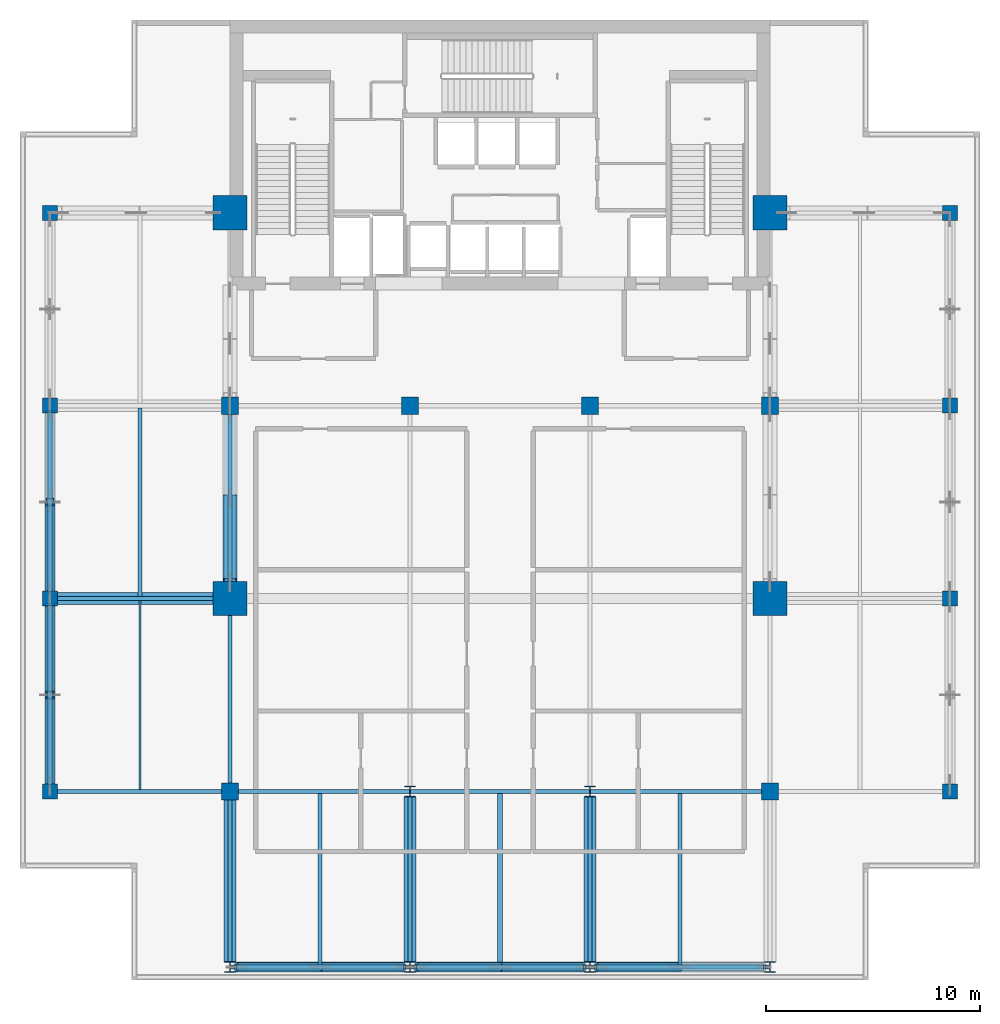
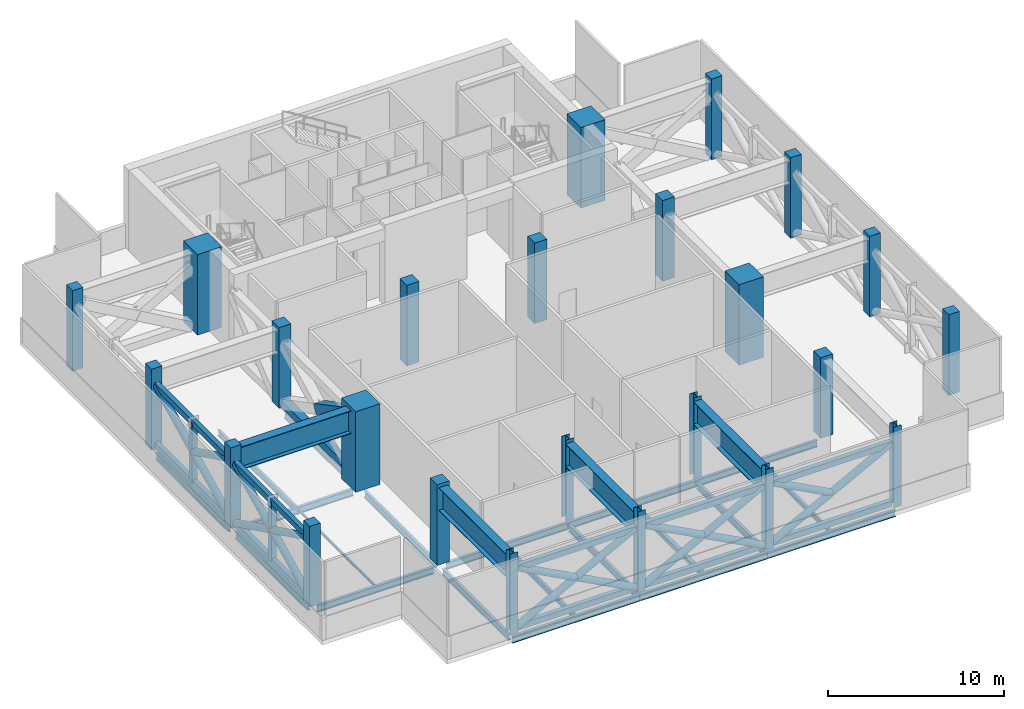
# One storey, part 1 of 11: 27 members, 24 beams, 24 columns.
"""IFC4 building model written with IfcOpenShell, lengths in metres."""

import ifcopenshell
import ifcopenshell.guid

model = None  # the IFC model being written
_history = None  # IfcOwnerHistory: only IFC2X3 demands one
_inside = {}  # id of a spatial element -> (the spatial element, [elements in it])
_under = {}  # id of a project, library or spatial element -> (it, [spatial elements below it])
_declared = {}  # id of a project -> (the project, [libraries it declares])
_typed = {}  # id of a type object -> (the type object, [elements of that type])
_made_of = {}  # id of a material, layer set ... -> (it, [elements and type objects made of it])


def new_model(schema):
    """Start an empty IFC model of exactly this schema.

    Asked for "IFC4X3", IfcOpenShell would pick the latest addendum, in which some entities
    have other attributes; the version numbers below select the first issue.
    IFC2X3 requires an IfcOwnerHistory on every rooted entity: one is made here for all.
    """
    global model, _history
    if schema == "IFC4X3":
        model = ifcopenshell.file(schema_version=(4, 3, 0, 0))
    else:
        model = ifcopenshell.file(schema=schema)
    _inside.clear()
    _under.clear()
    _declared.clear()
    _typed.clear()
    _made_of.clear()
    _history = None
    if model.schema == "IFC2X3":
        org = make("IfcOrganization", Name="unknown")
        user = make(
            "IfcPersonAndOrganization",
            ThePerson=make("IfcPerson", FamilyName="unknown"),
            TheOrganization=org,
        )
        app = make(
            "IfcApplication",
            ApplicationDeveloper=org,
            Version="unknown",
            ApplicationFullName="unknown",
            ApplicationIdentifier="unknown",
        )
        _history = make(
            "IfcOwnerHistory",
            OwningUser=user,
            OwningApplication=app,
            ChangeAction="ADDED",
            CreationDate=0,
        )
    return model


def make(cls, **values):
    """One entity of the class cls with the attributes given. An attribute that is None is left unset."""
    return model.create_entity(
        cls, **{name: value for name, value in values.items() if value is not None}
    )


def rooted(cls, **values):
    """An entity with a GlobalId (a new one), such as an element, a storey or a relation."""
    return make(cls, GlobalId=ifcopenshell.guid.new(), OwnerHistory=_history, **values)


def si_unit(unit_type, name, prefix=None):
    """IfcSIUnit, for example si_unit("LENGTHUNIT", "METRE", prefix="MILLI")."""
    return make("IfcSIUnit", UnitType=unit_type, Prefix=prefix, Name=name)


def assignment(units):
    """IfcUnitAssignment: the units of a project."""
    return None if units is None else make("IfcUnitAssignment", Units=units)


def point(xyz):
    """IfcCartesianPoint."""
    return None if xyz is None else make("IfcCartesianPoint", Coordinates=xyz)


def direction(xyz):
    """IfcDirection."""
    return None if xyz is None else make("IfcDirection", DirectionRatios=xyz)


def frame(location, z_axis=None, x_axis=None):
    """IfcAxis2Placement3D, a coordinate frame: its origin and axes. An axis left out is left unset."""
    return make(
        "IfcAxis2Placement3D",
        Location=point(location),
        Axis=direction(z_axis),
        RefDirection=direction(x_axis),
    )


def frame_2d(location, x_axis=None):
    """IfcAxis2Placement2D, a coordinate frame in the plane: its origin and x axis."""
    return make(
        "IfcAxis2Placement2D", Location=point(location), RefDirection=direction(x_axis)
    )


def origin():
    """The frame at (0, 0, 0) with its axes left unset."""
    return frame((0.0, 0.0, 0.0))


def origin_2d():
    """The frame at (0, 0) in the plane with its x axis left unset."""
    return frame_2d((0.0, 0.0))


def place(relative_to, where):
    """IfcLocalPlacement: puts the frame where relative to a parent placement (None: the world)."""
    return make(
        "IfcLocalPlacement", PlacementRelTo=relative_to, RelativePlacement=where
    )


def context(
    kind, dimensions, precision=None, world=None, true_north=None, identifier=None
):
    """IfcGeometricRepresentationContext, for example the 3D "Model" context."""
    return make(
        "IfcGeometricRepresentationContext",
        ContextIdentifier=identifier,
        ContextType=kind,
        CoordinateSpaceDimension=dimensions,
        Precision=precision,
        WorldCoordinateSystem=world,
        TrueNorth=true_north,
    )


def subcontext(parent, identifier, kind, view, scale=None):
    """IfcGeometricRepresentationSubContext, for example "Body" below "Model"."""
    return make(
        "IfcGeometricRepresentationSubContext",
        ContextIdentifier=identifier,
        ContextType=kind,
        ParentContext=parent,
        TargetScale=scale,
        TargetView=view,
    )


def project(units=None, contexts=None):
    """IfcProject with its units and contexts."""
    return rooted(
        "IfcProject",
        Name="project",
        RepresentationContexts=contexts,
        UnitsInContext=assignment(units),
    )


def spatial(cls, under=None, at=None, **own):
    """A site, building, storey or space (cls), placed at a placement, below another one or the project."""
    s = rooted(cls, ObjectPlacement=at, **own)
    if under is not None:
        _under.setdefault(under.id(), (under, []))[1].append(s)
    return s


def profile(cls, at=None, kind="AREA", **sizes):
    """A parametric profile (cls). Its sizes go by their IFC names, for example OverallWidth=200.0."""
    return make(cls, ProfileType=kind, Position=at, **sizes)


def rectangle(**sizes):
    """IfcRectangleProfileDef."""
    return profile("IfcRectangleProfileDef", **sizes)


def hollow_rectangle(**sizes):
    """IfcRectangleHollowProfileDef."""
    return profile("IfcRectangleHollowProfileDef", **sizes)


def hollow_circle(**sizes):
    """IfcCircleHollowProfileDef."""
    return profile("IfcCircleHollowProfileDef", **sizes)


def i_section(**sizes):
    """IfcIShapeProfileDef."""
    return profile("IfcIShapeProfileDef", **sizes)


def extrude(swept, where, along, depth):
    """IfcExtrudedAreaSolid: the profile swept, set in the frame where, extruded along a direction by depth."""
    return make(
        "IfcExtrudedAreaSolid",
        SweptArea=swept,
        Position=where,
        ExtrudedDirection=direction(along),
        Depth=depth,
    )


def shape(context_of_items, identifier, shape_type, items):
    """IfcShapeRepresentation: the items that make up one representation, for example the "Body"."""
    return make(
        "IfcShapeRepresentation",
        ContextOfItems=context_of_items,
        RepresentationIdentifier=identifier,
        RepresentationType=shape_type,
        Items=items,
    )


def material(Name=None, Category=None):
    """IfcMaterial."""
    return make("IfcMaterial", Name=Name, Category=Category)


def material_profile(
    of_material, cross_section, Name=None, Category=None, Priority=None
):
    """IfcMaterialProfile: a cross section and its material."""
    return make(
        "IfcMaterialProfile",
        Name=Name,
        Material=of_material,
        Profile=cross_section,
        Priority=Priority,
        Category=Category,
    )


def profile_set(profiles, Name=None, composite=None):
    """IfcMaterialProfileSet."""
    return make(
        "IfcMaterialProfileSet",
        Name=Name,
        MaterialProfiles=profiles,
        CompositeProfile=composite,
    )


def made_of(thing, what):
    """Note that an element or type object is made of a material, layer set ...; save() writes the relation."""
    if what is not None:
        _made_of.setdefault(what.id(), (what, []))[1].append(thing)
    return thing


def type_object(cls, material=None, **own):
    """A type object (cls), such as IfcWallType, which elements share."""
    return made_of(rooted(cls, **own), material)


def element(
    cls,
    number,
    at=None,
    inside=None,
    cuts=None,
    type_object=None,
    material=None,
    context=None,
    identifier="Body",
    shape_type=None,
    held_by="IfcProductDefinitionShape",
    body=None,
    shapes=None,
    **own,
):
    """One element of the class cls, such as IfcWall. Its Tag is "e" and its number.

    at: its placement. inside: the storey or other place that contains it. cuts: it is an
    opening in that element (IfcRelVoidsElement). A single representation is given by context,
    identifier, shape_type and body (its items); several are given by shapes. held_by: the class
    of the entity that holds the representations. save() writes the other relations.
    """
    e = rooted(cls, Tag="e%d" % number, ObjectPlacement=at, **own)
    if body is not None:
        shapes = [shape(context, identifier, shape_type, body)]
    if shapes is not None:
        e.Representation = make(held_by, Representations=shapes)
    if inside is not None:
        _inside.setdefault(inside.id(), (inside, []))[1].append(e)
    if cuts is not None:
        rooted(
            "IfcRelVoidsElement", RelatingBuildingElement=cuts, RelatedOpeningElement=e
        )
    if type_object is not None:
        _typed.setdefault(type_object.id(), (type_object, []))[1].append(e)
    return made_of(e, material)


def aggregate(whole, parts):
    """IfcRelAggregates: a whole, such as a stair, and the parts it consists of."""
    return rooted("IfcRelAggregates", RelatingObject=whole, RelatedObjects=parts)


def save(model, path):
    """Write the relations noted so far, then the file.

    IfcRelAggregates (storeys below a building ...), IfcRelContainedInSpatialStructure (elements
    in a storey), IfcRelDefinesByType, IfcRelAssociatesMaterial and IfcRelDeclares: one each for
    every whole, place, type object, material and project.
    """
    for whole, parts in _under.values():
        aggregate(whole, parts)
    for where, things in _inside.values():
        rooted(
            "IfcRelContainedInSpatialStructure",
            RelatedElements=things,
            RelatingStructure=where,
        )
    for kind, things in _typed.values():
        rooted("IfcRelDefinesByType", RelatedObjects=things, RelatingType=kind)
    for what, things in _made_of.values():
        rooted("IfcRelAssociatesMaterial", RelatedObjects=things, RelatingMaterial=what)
    for by, libraries in _declared.values():
        rooted("IfcRelDeclares", RelatingContext=by, RelatedDefinitions=libraries)
    model.write(path)


model = new_model("IFC4")

# Units and contexts
model_context = context("Model", 3, precision=1e-05, world=origin(), true_north=direction((0.0, 1.0)))
body_context = subcontext(model_context, "Body", "Model", "MODEL_VIEW")
ifc_project = project(units=[si_unit("LENGTHUNIT", "METRE"), si_unit("AREAUNIT", "SQUARE_METRE"), si_unit("VOLUMEUNIT", "CUBIC_METRE"), si_unit("PLANEANGLEUNIT", "RADIAN"), si_unit("MASSUNIT", "GRAM", prefix="KILO")], contexts=[model_context])

# Site, building, storey
site_placement = place(None, origin())
site = spatial("IfcSite", under=ifc_project, at=site_placement, CompositionType="ELEMENT")
building_placement = place(site_placement, origin())
building = spatial("IfcBuilding", under=site, at=building_placement, Name="Maruvema Waterfront Hotel and Observation Tower", CompositionType="ELEMENT")
storey_placement = place(building_placement, frame((0.0, 0.0, 316.39990234375)))
storey = spatial("IfcBuildingStorey", under=building, at=storey_placement, Name="L78", CompositionType="ELEMENT", Elevation=316.39990234375)

# Columns
ifc_material_1 = material(Name="Concrete C70/85", Category="concrete")
ifc_material_profile_1 = material_profile(ifc_material_1, rectangle(XDim=1.60009765625, YDim=1.60009765625, at=origin_2d()), Name="MC1600x1600")
ifc_profile_set_1 = profile_set([ifc_material_profile_1], Name="Concrete C70/85")
column_type_1 = type_object("IfcColumnType", Name="Continuous Mega-Column MC1600x1600", PredefinedType="COLUMN", material=ifc_profile_set_1)
for number, where, z_axis, x_axis, name in (
    (1, (25.199951171875, 27.0, 0.0), (0.0, 0.0, 1.0), (1.0, 0.0, 0.0), "L78 Continuous Mega-Column MC-01"),
    (2, (50.39990234375, 27.0, 0.0), (0.0, 0.0, 1.0), (1.0, 0.0, 0.0), "L78 Continuous Mega-Column MC-02"),
    (3, (25.199951171875, 45.0, 0.0), (0.0, 0.0, 1.0), (1.0, 0.0, 0.0), "L78 Continuous Mega-Column MC-03"),
    (4, (50.39990234375, 45.0, 0.0), (0.0, 0.0, 1.0), (1.0, 0.0, 0.0), "L78 Continuous Mega-Column MC-04"),
):
    element("IfcColumn", number, at=place(storey_placement, frame(where, z_axis=z_axis, x_axis=x_axis)), inside=storey, type_object=column_type_1, Name=name, PredefinedType="COLUMN", context=body_context, shape_type="SweptSolid", body=[
        extrude(rectangle(XDim=1.60009765625, YDim=1.60009765625, at=origin_2d()), origin(), (0.0, 0.0, 1.0), 5.60009765625),
    ])
ifc_material_2 = material(Name="Concrete C60/75", Category="concrete")
ifc_material_profile_2 = material_profile(ifc_material_2, rectangle(XDim=0.699951171875, YDim=0.699951171875, at=origin_2d()), Name="RC700x700")
ifc_profile_set_2 = profile_set([ifc_material_profile_2], Name="Concrete C60/75")
column_type_2 = type_object("IfcColumnType", Name="Reinforced Concrete Column RC700x700", PredefinedType="COLUMN", material=ifc_profile_set_2)
for number, where, z_axis, x_axis, name in (
    (5, (16.800048828125, 18.0, 0.0), (0.0, 0.0, 1.0), (1.0, 0.0, 0.0), "L78 Column C-3Y18"),
    (6, (58.800048828125, 18.0, 0.0), (0.0, 0.0, 1.0), (1.0, 0.0, 0.0), "L78 Column C-8Y18"),
    (7, (16.800048828125, 27.0, 0.0), (0.0, 0.0, 1.0), (1.0, 0.0, 0.0), "L78 Column C-3Y27"),
    (8, (58.800048828125, 27.0, 0.0), (0.0, 0.0, 1.0), (1.0, 0.0, 0.0), "L78 Column C-8Y27"),
    (9, (16.800048828125, 36.0, 0.0), (0.0, 0.0, 1.0), (1.0, 0.0, 0.0), "L78 Column C-3Y36"),
    (10, (58.800048828125, 36.0, 0.0), (0.0, 0.0, 1.0), (1.0, 0.0, 0.0), "L78 Column C-8Y36"),
    (11, (16.800048828125, 45.0, 0.0), (0.0, 0.0, 1.0), (1.0, 0.0, 0.0), "L78 Column C-3Y45"),
    (12, (58.800048828125, 45.0, 0.0), (0.0, 0.0, 1.0), (1.0, 0.0, 0.0), "L78 Column C-8Y45"),
):
    element("IfcColumn", number, at=place(storey_placement, frame(where, z_axis=z_axis, x_axis=x_axis)), inside=storey, type_object=column_type_2, Name=name, PredefinedType="COLUMN", context=body_context, shape_type="SweptSolid", body=[
        extrude(rectangle(XDim=0.699951171875, YDim=0.699951171875, at=origin_2d()), origin(), (0.0, 0.0, 1.0), 5.60009765625),
    ])
ifc_material_3 = material(Name="Concrete C60/75", Category="concrete")
ifc_material_profile_3 = material_profile(ifc_material_3, rectangle(XDim=0.800048828125, YDim=0.800048828125, at=origin_2d()), Name="RC800x800")
ifc_profile_set_3 = profile_set([ifc_material_profile_3], Name="Concrete C60/75")
column_type_3 = type_object("IfcColumnType", Name="Reinforced Concrete Column RC800x800", PredefinedType="COLUMN", material=ifc_profile_set_3)
for number, where, z_axis, x_axis, name in (
    (13, (25.199951171875, 36.0, 0.0), (0.0, 0.0, 1.0), (1.0, 0.0, 0.0), "L78 Column C-4E"),
    (14, (33.60009765625, 36.0, 0.0), (0.0, 0.0, 1.0), (1.0, 0.0, 0.0), "L78 Column C-5E"),
    (15, (42.0, 36.0, 0.0), (0.0, 0.0, 1.0), (1.0, 0.0, 0.0), "L78 Column C-6E"),
    (16, (50.39990234375, 36.0, 0.0), (0.0, 0.0, 1.0), (1.0, 0.0, 0.0), "L78 Column C-7E"),
    (17, (25.199951171875, 18.0, 0.0), (0.0, 0.0, 1.0), (1.0, 0.0, 0.0), "L78 Column C-4C"),
    (18, (50.39990234375, 18.0, 0.0), (0.0, 0.0, 1.0), (1.0, 0.0, 0.0), "L78 Column C-7C"),
):
    element("IfcColumn", number, at=place(storey_placement, frame(where, z_axis=z_axis, x_axis=x_axis)), inside=storey, type_object=column_type_3, Name=name, PredefinedType="COLUMN", context=body_context, shape_type="SweptSolid", body=[
        extrude(rectangle(XDim=0.800048828125, YDim=0.800048828125, at=origin_2d()), origin(), (0.0, 0.0, 1.0), 5.60009765625),
    ])
ifc_material_4 = material(Name="Steel ABNT NBR 7007 AR 415 (ASTM A572 Grade 50)", Category="steel")
ifc_material_profile_4 = material_profile(ifc_material_4, i_section(OverallWidth=0.5, OverallDepth=0.5, WebThickness=0.02197265625, FlangeThickness=0.031982421875, at=origin_2d()), Name="CVS500x223")
ifc_profile_set_4 = profile_set([ifc_material_profile_4], Name="Steel ABNT NBR 7007 AR 415 (ASTM A572 Grade 50)")
column_type_4 = type_object("IfcColumnType", Name="Structural Steel Column CVS500x223", PredefinedType="COLUMN", material=ifc_profile_set_4)
for number, where, z_axis, x_axis, name in (
    (19, (33.60009765625, 18.0, 0.0), (0.0, 0.0, 1.0), (1.0, 0.0, 0.0), "L78 Column C-5C"),
    (20, (42.0, 18.0, 0.0), (0.0, 0.0, 1.0), (1.0, 0.0, 0.0), "L78 Column C-6C"),
    (21, (25.199951171875, 9.800048828125, 0.0), (0.0, 0.0, 1.0), (1.0, 0.0, 0.0), "L78 Column C-Z3S4"),
    (22, (33.60009765625, 9.800048828125, 0.0), (0.0, 0.0, 1.0), (1.0, 0.0, 0.0), "L78 Column C-Z3S5"),
    (23, (42.0, 9.800048828125, 0.0), (0.0, 0.0, 1.0), (1.0, 0.0, 0.0), "L78 Column C-Z3S6"),
    (24, (50.39990234375, 9.800048828125, 0.0), (0.0, 0.0, 1.0), (1.0, 0.0, 0.0), "L78 Column C-Z3S7"),
):
    element("IfcColumn", number, at=place(storey_placement, frame(where, z_axis=z_axis, x_axis=x_axis)), inside=storey, type_object=column_type_4, Name=name, PredefinedType="COLUMN", context=body_context, shape_type="SweptSolid", body=[
        extrude(i_section(OverallWidth=0.5, OverallDepth=0.5, WebThickness=0.02197265625, FlangeThickness=0.031982421875, at=origin_2d()), origin(), (0.0, 0.0, 1.0), 5.60009765625),
    ])

# Members
ifc_material_5 = material(Name="Steel ABNT NBR 7007 AR 415 (ASTM A572 Grade 50)", Category="steel")
ifc_material_profile_5 = material_profile(ifc_material_5, hollow_rectangle(XDim=0.5, YDim=0.5, WallThickness=0.028076171875, at=origin_2d()), Name="SHS500x500x28.0")
ifc_profile_set_5 = profile_set([ifc_material_profile_5], Name="Steel ABNT NBR 7007 AR 415 (ASTM A572 Grade 50)")
member_type_1 = type_object("IfcMemberType", Name="Outrigger Truss Chord SHS500x500x28.0", PredefinedType="CHORD", material=ifc_profile_set_5)
member_1_placement = place(storey_placement, frame((25.199951171875, 27.780029296875, 0.25), z_axis=(0.0, 1.0, 0.0), x_axis=(-1.0, 0.0, 0.0)))
element("IfcMember", 25, at=member_1_placement, inside=storey, type_object=member_type_1, Name="L78 Outrigger Truss Bottom Chord W1", PredefinedType="CHORD", context=body_context, shape_type="SweptSolid", body=[
    extrude(hollow_rectangle(XDim=0.5, YDim=0.5, WallThickness=0.028076171875, at=origin_2d()), origin(), (0.0, 0.0, 1.0), 7.820068359375),
])
ifc_material_6 = material(Name="Steel ABNT NBR 7007 AR 415 (ASTM A572 Grade 50)", Category="steel")
ifc_material_profile_6 = material_profile(ifc_material_6, hollow_rectangle(XDim=0.64990234375, YDim=0.64990234375, WallThickness=0.035888671875, at=origin_2d()), Name="SHS650x650x36.0")
ifc_profile_set_6 = profile_set([ifc_material_profile_6], Name="Steel ABNT NBR 7007 AR 415 (ASTM A572 Grade 50)")
member_type_2 = type_object("IfcMemberType", Name="Outrigger Truss Diagonal SHS650x650x36.0", PredefinedType="BRACE", material=ifc_profile_set_6)
member_2_placement = place(storey_placement, frame((25.199951171875, 31.67236328125, 2.324462890625), z_axis=(0.0, -0.88425561644, 0.467003217113), x_axis=(1.0, 0.0, 0.0)))
element("IfcMember", 26, at=member_2_placement, inside=storey, type_object=member_type_2, Name="L78 Outrigger Truss Diagonal W1 Split Upper B2", PredefinedType="BRACE", context=body_context, shape_type="SweptSolid", body=[
    extrude(hollow_rectangle(XDim=0.64990234375, YDim=0.64990234375, WallThickness=0.035888671875, at=origin_2d()), origin(), (0.0, 0.0, 1.0), 4.40185546875),
])
ifc_material_7 = material(Name="Steel ABNT NBR 7007 AR 415 (ASTM A572 Grade 50)", Category="steel")
ifc_material_profile_7 = material_profile(ifc_material_7, hollow_rectangle(XDim=0.300048828125, YDim=0.39990234375, WallThickness=0.02001953125, at=origin_2d()), Name="RHS400x300x20.0")
ifc_profile_set_7 = profile_set([ifc_material_profile_7], Name="Steel ABNT NBR 7007 AR 415 (ASTM A572 Grade 50)")
member_type_3 = type_object("IfcMemberType", Name="Perimeter Belt Truss Chord RHS400x300x20.0", PredefinedType="CHORD", material=ifc_profile_set_7)
for number, where, z_axis, x_axis, name in (
    (27, (16.800048828125, 18.300048828125, 0.25), (0.0, 1.0, 0.0), (-1.0, 0.0, 0.0), "L78 Perimeter Belt Truss Chord W1"),
    (28, (16.800048828125, 18.300048828125, 4.380126953125), (0.0, 1.0, 0.0), (-1.0, 0.0, 0.0), "L78 Perimeter Belt Truss Top Chord W1"),
    (29, (16.800048828125, 27.300048828125, 0.25), (0.0, 1.0, 0.0), (-1.0, 0.0, 0.0), "L78 Perimeter Belt Truss Chord W2"),
    (30, (16.800048828125, 27.300048828125, 4.380126953125), (0.0, 1.0, 0.0), (-1.0, 0.0, 0.0), "L78 Perimeter Belt Truss Top Chord W2"),
):
    element("IfcMember", number, at=place(storey_placement, frame(where, z_axis=z_axis, x_axis=x_axis)), inside=storey, type_object=member_type_3, Name=name, PredefinedType="CHORD", context=body_context, shape_type="SweptSolid", body=[
        extrude(hollow_rectangle(XDim=0.300048828125, YDim=0.39990234375, WallThickness=0.02001953125, at=origin_2d()), origin(), (0.0, 0.0, 1.0), 8.39990234375),
    ])
for number, where, z_axis, x_axis, name in (
    (31, (25.5, 9.800048828125, 0.25), (1.0, 0.0, 0.0), (0.0, 1.0, 0.0), "L78 South Perimeter Belt Truss Chord 1"),
    (32, (25.5, 9.800048828125, 4.380126953125), (1.0, 0.0, 0.0), (0.0, 1.0, 0.0), "L78 South Perimeter Belt Truss Top Chord 1"),
    (33, (33.89990234375, 9.800048828125, 0.25), (1.0, 0.0, 0.0), (0.0, 1.0, 0.0), "L78 South Perimeter Belt Truss Chord 2"),
    (34, (33.89990234375, 9.800048828125, 4.380126953125), (1.0, 0.0, 0.0), (0.0, 1.0, 0.0), "L78 South Perimeter Belt Truss Top Chord 2"),
    (35, (42.300048828125, 9.800048828125, 0.25), (1.0, 0.0, 0.0), (0.0, 1.0, 0.0), "L78 South Perimeter Belt Truss Chord 3"),
    (36, (42.300048828125, 9.800048828125, 4.380126953125), (1.0, 0.0, 0.0), (0.0, 1.0, 0.0), "L78 South Perimeter Belt Truss Top Chord 3"),
):
    element("IfcMember", number, at=place(storey_placement, frame(where, z_axis=z_axis, x_axis=x_axis)), inside=storey, type_object=member_type_3, Name=name, PredefinedType="CHORD", context=body_context, shape_type="SweptSolid", body=[
        extrude(hollow_rectangle(XDim=0.300048828125, YDim=0.39990234375, WallThickness=0.02001953125, at=origin_2d()), origin(), (0.0, 0.0, 1.0), 7.800048828125),
    ])
ifc_material_8 = material(Name="Steel ABNT NBR 7007 AR 350 (ASTM A572 Grade 50)", Category="steel")
ifc_material_profile_8 = material_profile(ifc_material_8, hollow_circle(Radius=0.228515625, WallThickness=0.02001953125, at=origin_2d()), Name="CHS457.0x20.0")
ifc_profile_set_8 = profile_set([ifc_material_profile_8], Name="Steel ABNT NBR 7007 AR 350 (ASTM A572 Grade 50)")
member_type_4 = type_object("IfcMemberType", Name="Perimeter Belt Truss Diagonal CHS457.0x20.0", PredefinedType="BRACE", material=ifc_profile_set_8)
member_3_placement = place(storey_placement, frame((16.800048828125, 18.300048828125, 0.25), z_axis=(0.0, 0.897391109311, 0.441235987799), x_axis=(-1.0, 0.0, 0.0)))
element("IfcMember", 37, at=member_3_placement, inside=storey, type_object=member_type_4, Name="L78 Perimeter Belt Truss Diagonal W1 Continuous A", PredefinedType="BRACE", context=body_context, shape_type="SweptSolid", body=[
    extrude(hollow_circle(Radius=0.228515625, WallThickness=0.02001953125, at=origin_2d()), origin(), (0.0, 0.0, 1.0), 9.3603515625),
])
member_4_placement = place(storey_placement, frame((16.800048828125, 26.699951171875, 0.25), z_axis=(0.0, -0.897382953246, 0.441252575317), x_axis=(1.0, 0.0, 0.0)))
element("IfcMember", 38, at=member_4_placement, inside=storey, type_object=member_type_4, Name="L78 Perimeter Belt Truss Diagonal W1 Split Lower B1", PredefinedType="BRACE", context=body_context, shape_type="SweptSolid", body=[
    extrude(hollow_circle(Radius=0.228515625, WallThickness=0.02001953125, at=origin_2d()), origin(), (0.0, 0.0, 1.0), 4.660400390625),
])
member_5_placement = place(storey_placement, frame((16.800048828125, 22.482177734375, 2.323974609375), z_axis=(0.0, -0.8974036964, 0.441210387103), x_axis=(1.0, 0.0, 0.0)))
element("IfcMember", 39, at=member_5_placement, inside=storey, type_object=member_type_4, Name="L78 Perimeter Belt Truss Diagonal W1 Split Upper B2", PredefinedType="BRACE", context=body_context, shape_type="SweptSolid", body=[
    extrude(hollow_circle(Radius=0.228515625, WallThickness=0.02001953125, at=origin_2d()), origin(), (0.0, 0.0, 1.0), 4.66015625),
])
member_6_placement = place(storey_placement, frame((16.800048828125, 27.300048828125, 0.25), z_axis=(0.0, 0.897391109311, 0.441235987799), x_axis=(-1.0, 0.0, 0.0)))
element("IfcMember", 40, at=member_6_placement, inside=storey, type_object=member_type_4, Name="L78 Perimeter Belt Truss Diagonal W2 Continuous A", PredefinedType="BRACE", context=body_context, shape_type="SweptSolid", body=[
    extrude(hollow_circle(Radius=0.228515625, WallThickness=0.02001953125, at=origin_2d()), origin(), (0.0, 0.0, 1.0), 9.3603515625),
])
member_7_placement = place(storey_placement, frame((16.800048828125, 31.482177734375, 2.323974609375), z_axis=(0.0, -0.8974036964, 0.441210387103), x_axis=(1.0, 0.0, 0.0)))
element("IfcMember", 41, at=member_7_placement, inside=storey, type_object=member_type_4, Name="L78 Perimeter Belt Truss Diagonal W2 Split Upper B2", PredefinedType="BRACE", context=body_context, shape_type="SweptSolid", body=[
    extrude(hollow_circle(Radius=0.228515625, WallThickness=0.02001953125, at=origin_2d()), origin(), (0.0, 0.0, 1.0), 4.66015625),
])
member_8_placement = place(storey_placement, frame((25.5, 9.800048828125, 0.25), z_axis=(0.883755617631, 0.0, 0.467948724012), x_axis=(0.0, 1.0, 0.0)))
element("IfcMember", 42, at=member_8_placement, inside=storey, type_object=member_type_4, Name="L78 South Perimeter Belt Truss Diagonal 1 Continuous A", PredefinedType="BRACE", context=body_context, shape_type="SweptSolid", body=[
    extrude(hollow_circle(Radius=0.228515625, WallThickness=0.02001953125, at=origin_2d()), origin(), (0.0, 0.0, 1.0), 8.825927734375),
])
for number, where, z_axis, x_axis, name in (
    (43, (33.300048828125, 9.800048828125, 0.25), (-0.883758174274, 0.0, 0.467943895572), (0.0, -1.0, 0.0), "L78 South Perimeter Belt Truss Diagonal 1 Split Lower B1"),
    (44, (29.38232421875, 9.800048828125, 2.324462890625), (-0.883758174274, 0.0, 0.467943895572), (0.0, -1.0, 0.0), "L78 South Perimeter Belt Truss Diagonal 1 Split Upper B2"),
):
    element("IfcMember", number, at=place(storey_placement, frame(where, z_axis=z_axis, x_axis=x_axis)), inside=storey, type_object=member_type_4, Name=name, PredefinedType="BRACE", context=body_context, shape_type="SweptSolid", body=[
        extrude(hollow_circle(Radius=0.228515625, WallThickness=0.02001953125, at=origin_2d()), origin(), (0.0, 0.0, 1.0), 4.39306640625),
    ])
member_9_placement = place(storey_placement, frame((33.89990234375, 9.800048828125, 0.25), z_axis=(0.883755617631, 0.0, 0.467948724012), x_axis=(0.0, 1.0, 0.0)))
element("IfcMember", 45, at=member_9_placement, inside=storey, type_object=member_type_4, Name="L78 South Perimeter Belt Truss Diagonal 2 Continuous A", PredefinedType="BRACE", context=body_context, shape_type="SweptSolid", body=[
    extrude(hollow_circle(Radius=0.228515625, WallThickness=0.02001953125, at=origin_2d()), origin(), (0.0, 0.0, 1.0), 8.825927734375),
])
for number, where, z_axis, x_axis, name in (
    (46, (41.699951171875, 9.800048828125, 0.25), (-0.883758174274, 0.0, 0.467943895572), (0.0, -1.0, 0.0), "L78 South Perimeter Belt Truss Diagonal 2 Split Lower B1"),
    (47, (37.7822265625, 9.800048828125, 2.324462890625), (-0.883758174274, 0.0, 0.467943895572), (0.0, -1.0, 0.0), "L78 South Perimeter Belt Truss Diagonal 2 Split Upper B2"),
):
    element("IfcMember", number, at=place(storey_placement, frame(where, z_axis=z_axis, x_axis=x_axis)), inside=storey, type_object=member_type_4, Name=name, PredefinedType="BRACE", context=body_context, shape_type="SweptSolid", body=[
        extrude(hollow_circle(Radius=0.228515625, WallThickness=0.02001953125, at=origin_2d()), origin(), (0.0, 0.0, 1.0), 4.39306640625),
    ])
member_10_placement = place(storey_placement, frame((42.300048828125, 9.800048828125, 0.25), z_axis=(0.883755617631, 0.0, 0.467948724012), x_axis=(0.0, 1.0, 0.0)))
element("IfcMember", 48, at=member_10_placement, inside=storey, type_object=member_type_4, Name="L78 South Perimeter Belt Truss Diagonal 3 Continuous A", PredefinedType="BRACE", context=body_context, shape_type="SweptSolid", body=[
    extrude(hollow_circle(Radius=0.228515625, WallThickness=0.02001953125, at=origin_2d()), origin(), (0.0, 0.0, 1.0), 8.825927734375),
])
member_11_placement = place(storey_placement, frame((46.182373046875, 9.800048828125, 2.324462890625), z_axis=(-0.883758174274, 0.0, 0.467943895572), x_axis=(0.0, -1.0, 0.0)))
element("IfcMember", 49, at=member_11_placement, inside=storey, type_object=member_type_4, Name="L78 South Perimeter Belt Truss Diagonal 3 Split Upper B2", PredefinedType="BRACE", context=body_context, shape_type="SweptSolid", body=[
    extrude(hollow_circle(Radius=0.228515625, WallThickness=0.02001953125, at=origin_2d()), origin(), (0.0, 0.0, 1.0), 4.39306640625),
])
ifc_material_9 = material(Name="Steel ABNT NBR 7007 AR 415 (ASTM A572 Grade 50)", Category="steel")
ifc_material_profile_9 = material_profile(ifc_material_9, hollow_rectangle(XDim=0.35009765625, YDim=0.35009765625, WallThickness=0.02001953125, at=origin_2d()), Name="SHS350x350x20.0")
ifc_profile_set_9 = profile_set([ifc_material_profile_9], Name="Steel ABNT NBR 7007 AR 415 (ASTM A572 Grade 50)")
member_type_5 = type_object("IfcMemberType", Name="Perimeter Belt Truss Post SHS350x350x20.0", PredefinedType="POST", material=ifc_profile_set_9)
for number, where, z_axis, x_axis, name in (
    (50, (16.800048828125, 22.5, 0.25), (0.0, 0.0, 1.0), (1.0, 0.0, 0.0), "L78 Perimeter Belt Truss Post W1"),
    (51, (16.800048828125, 31.5, 0.25), (0.0, 0.0, 1.0), (1.0, 0.0, 0.0), "L78 Perimeter Belt Truss Post W2"),
):
    element("IfcMember", number, at=place(storey_placement, frame(where, z_axis=z_axis, x_axis=x_axis)), inside=storey, type_object=member_type_5, Name=name, PredefinedType="POST", context=body_context, shape_type="SweptSolid", body=[
        extrude(hollow_rectangle(XDim=0.35009765625, YDim=0.35009765625, WallThickness=0.02001953125, at=origin_2d()), origin(), (0.0, 0.0, 1.0), 4.130126953125),
    ])

# Beams
ifc_material_10 = material(Name="Steel ASTM A572 Grade 50", Category="steel")
ifc_material_profile_10 = material_profile(ifc_material_10, i_section(OverallWidth=0.194091796875, OverallDepth=0.468994140625, WebThickness=0.0126953125, FlangeThickness=0.0205078125, FilletRadius=0.014892578125, at=origin_2d()), Name="W460x106.0")
ifc_profile_set_10 = profile_set([ifc_material_profile_10], Name="Steel ASTM A572 Grade 50")
beam_type_1 = type_object("IfcBeamType", Name="Primary Floor Girder W460x106.0", PredefinedType="BEAM", material=ifc_profile_set_10)
beam_1_placement = place(storey_placement, frame((25.2109375, 9.800048828125, -0.534423828125), z_axis=(1.0, 0.0, 0.0), x_axis=(0.0, 1.0, 0.0)))
element("IfcBeam", 52, at=beam_1_placement, inside=storey, type_object=beam_type_1, Name="L78 Floor Girder EW-01", PredefinedType="BEAM", context=body_context, shape_type="SweptSolid", body=[
    extrude(i_section(OverallWidth=0.194091796875, OverallDepth=0.468994140625, WebThickness=0.0126953125, FlangeThickness=0.0205078125, FilletRadius=0.014892578125, at=origin_2d()), origin(), (0.0, 0.0, 1.0), 8.378173828125),
])
for number, where, z_axis, x_axis, name in (
    (53, (33.611083984375, 9.800048828125, -0.534423828125), (1.0, 0.0, 0.0), (0.0, 1.0, 0.0), "L78 Floor Girder EW-02"),
    (54, (42.010986328125, 9.800048828125, -0.534423828125), (1.0, 0.0, 0.0), (0.0, 1.0, 0.0), "L78 Floor Girder EW-03"),
):
    element("IfcBeam", number, at=place(storey_placement, frame(where, z_axis=z_axis, x_axis=x_axis)), inside=storey, type_object=beam_type_1, Name=name, PredefinedType="BEAM", context=body_context, shape_type="SweptSolid", body=[
        extrude(i_section(OverallWidth=0.194091796875, OverallDepth=0.468994140625, WebThickness=0.0126953125, FlangeThickness=0.0205078125, FilletRadius=0.014892578125, at=origin_2d()), origin(), (0.0, 0.0, 1.0), 8.3779296875),
    ])
beam_2_placement = place(storey_placement, frame((17.14990234375, 18.0, -0.534423828125), z_axis=(1.0, 0.0, 0.0), x_axis=(0.0, 1.0, 0.0)))
element("IfcBeam", 55, at=beam_2_placement, inside=storey, type_object=beam_type_1, Name="L78 Floor Girder EW-04", PredefinedType="BEAM", context=body_context, shape_type="SweptSolid", body=[
    extrude(i_section(OverallWidth=0.194091796875, OverallDepth=0.468994140625, WebThickness=0.0126953125, FlangeThickness=0.0205078125, FilletRadius=0.014892578125, at=origin_2d()), origin(), (0.0, 0.0, 1.0), 7.650146484375),
])
beam_3_placement = place(storey_placement, frame((25.60009765625, 18.0, -0.534423828125), z_axis=(1.0, 0.0, 0.0), x_axis=(0.0, 1.0, 0.0)))
element("IfcBeam", 56, at=beam_3_placement, inside=storey, type_object=beam_type_1, Name="L78 Floor Girder EW-05", PredefinedType="BEAM", context=body_context, shape_type="SweptSolid", body=[
    extrude(i_section(OverallWidth=0.194091796875, OverallDepth=0.468994140625, WebThickness=0.0126953125, FlangeThickness=0.0205078125, FilletRadius=0.014892578125, at=origin_2d()), origin(), (0.0, 0.0, 1.0), 7.989013671875),
])
beam_4_placement = place(storey_placement, frame((33.611083984375, 18.0, -0.534423828125), z_axis=(1.0, 0.0, 0.0), x_axis=(0.0, 1.0, 0.0)))
element("IfcBeam", 57, at=beam_4_placement, inside=storey, type_object=beam_type_1, Name="L78 Floor Girder EW-06", PredefinedType="BEAM", context=body_context, shape_type="SweptSolid", body=[
    extrude(i_section(OverallWidth=0.194091796875, OverallDepth=0.468994140625, WebThickness=0.0126953125, FlangeThickness=0.0205078125, FilletRadius=0.014892578125, at=origin_2d()), origin(), (0.0, 0.0, 1.0), 8.3779296875),
])
beam_5_placement = place(storey_placement, frame((42.010986328125, 18.0, -0.534423828125), z_axis=(1.0, 0.0, 0.0), x_axis=(0.0, 1.0, 0.0)))
element("IfcBeam", 58, at=beam_5_placement, inside=storey, type_object=beam_type_1, Name="L78 Floor Girder EW-07", PredefinedType="BEAM", context=body_context, shape_type="SweptSolid", body=[
    extrude(i_section(OverallWidth=0.194091796875, OverallDepth=0.468994140625, WebThickness=0.0126953125, FlangeThickness=0.0205078125, FilletRadius=0.014892578125, at=origin_2d()), origin(), (0.0, 0.0, 1.0), 7.989013671875),
])
beam_6_placement = place(storey_placement, frame((17.14990234375, 27.0, -0.534423828125), z_axis=(1.0, 0.0, 0.0), x_axis=(0.0, 1.0, 0.0)))
element("IfcBeam", 59, at=beam_6_placement, inside=storey, type_object=beam_type_1, Name="L78 Floor Girder EW-09", PredefinedType="BEAM", context=body_context, shape_type="SweptSolid", body=[
    extrude(i_section(OverallWidth=0.194091796875, OverallDepth=0.468994140625, WebThickness=0.0126953125, FlangeThickness=0.0205078125, FilletRadius=0.014892578125, at=origin_2d()), origin(), (0.0, 0.0, 1.0), 7.550048828125),
])
for number, where, z_axis, x_axis, name in (
    (60, (16.800048828125, 18.35009765625, -0.534423828125), (0.0, 1.0, 0.0), (-1.0, 0.0, 0.0), "L78 Floor Girder NS-01"),
    (61, (16.800048828125, 27.35009765625, -0.534423828125), (0.0, 1.0, 0.0), (-1.0, 0.0, 0.0), "L78 Floor Girder NS-02"),
):
    element("IfcBeam", number, at=place(storey_placement, frame(where, z_axis=z_axis, x_axis=x_axis)), inside=storey, type_object=beam_type_1, Name=name, PredefinedType="BEAM", context=body_context, shape_type="SweptSolid", body=[
        extrude(i_section(OverallWidth=0.194091796875, OverallDepth=0.468994140625, WebThickness=0.0126953125, FlangeThickness=0.0205078125, FilletRadius=0.014892578125, at=origin_2d()), origin(), (0.0, 0.0, 1.0), 8.2998046875),
    ])
beam_7_placement = place(storey_placement, frame((25.199951171875, 10.050048828125, -0.534423828125), z_axis=(0.0, 1.0, 0.0), x_axis=(-1.0, 0.0, 0.0)))
element("IfcBeam", 62, at=beam_7_placement, inside=storey, type_object=beam_type_1, Name="L78 Floor Girder NS-04", PredefinedType="BEAM", context=body_context, shape_type="SweptSolid", body=[
    extrude(i_section(OverallWidth=0.194091796875, OverallDepth=0.468994140625, WebThickness=0.0126953125, FlangeThickness=0.0205078125, FilletRadius=0.014892578125, at=origin_2d()), origin(), (0.0, 0.0, 1.0), 7.550048828125),
])
for number, where, z_axis, x_axis, name in (
    (63, (25.199951171875, 18.39990234375, -0.534423828125), (0.0, 1.0, 0.0), (-1.0, 0.0, 0.0), "L78 Floor Girder NS-05"),
    (64, (25.199951171875, 27.5, -0.534423828125), (0.0, 1.0, 0.0), (-1.0, 0.0, 0.0), "L78 Floor Girder NS-06"),
):
    element("IfcBeam", number, at=place(storey_placement, frame(where, z_axis=z_axis, x_axis=x_axis)), inside=storey, type_object=beam_type_1, Name=name, PredefinedType="BEAM", context=body_context, shape_type="SweptSolid", body=[
        extrude(i_section(OverallWidth=0.194091796875, OverallDepth=0.468994140625, WebThickness=0.0126953125, FlangeThickness=0.0205078125, FilletRadius=0.014892578125, at=origin_2d()), origin(), (0.0, 0.0, 1.0), 8.10009765625),
    ])
for number, where, z_axis, x_axis, name in (
    (65, (33.60009765625, 10.050048828125, -0.534423828125), (0.0, 1.0, 0.0), (-1.0, 0.0, 0.0), "L78 Floor Girder NS-08"),
    (66, (42.0, 10.050048828125, -0.534423828125), (0.0, 1.0, 0.0), (-1.0, 0.0, 0.0), "L78 Floor Girder NS-10"),
):
    element("IfcBeam", number, at=place(storey_placement, frame(where, z_axis=z_axis, x_axis=x_axis)), inside=storey, type_object=beam_type_1, Name=name, PredefinedType="BEAM", context=body_context, shape_type="SweptSolid", body=[
        extrude(i_section(OverallWidth=0.194091796875, OverallDepth=0.468994140625, WebThickness=0.0126953125, FlangeThickness=0.0205078125, FilletRadius=0.014892578125, at=origin_2d()), origin(), (0.0, 0.0, 1.0), 7.699951171875),
    ])
ifc_material_11 = material(Name="Steel ASTM A572 Grade 50", Category="steel")
ifc_material_profile_11 = material_profile(ifc_material_11, i_section(OverallWidth=0.10009765625, OverallDepth=0.153076171875, WebThickness=0.005859375, FlangeThickness=0.007080078125, FilletRadius=0.008056640625, at=origin_2d()), Name="W150x18.0")
ifc_profile_set_11 = profile_set([ifc_material_profile_11], Name="Steel ASTM A572 Grade 50")
beam_type_2 = type_object("IfcBeamType", Name="Secondary Floor Joist W150x18.0", PredefinedType="JOIST", material=ifc_profile_set_11)
beam_8_placement = place(storey_placement, frame((21.0, 18.096923828125, -0.37646484375), z_axis=(0.0, 1.0, 0.0), x_axis=(-1.0, 0.0, 0.0)))
element("IfcBeam", 67, at=beam_8_placement, inside=storey, type_object=beam_type_2, Name="L78 Secondary Floor Joist JS-01", PredefinedType="JOIST", context=body_context, shape_type="SweptSolid", body=[
    extrude(i_section(OverallWidth=0.10009765625, OverallDepth=0.153076171875, WebThickness=0.005859375, FlangeThickness=0.007080078125, FilletRadius=0.008056640625, at=origin_2d()), origin(), (0.0, 0.0, 1.0), 8.80615234375),
])
ifc_material_12 = material(Name="Steel ASTM A572 Grade 50", Category="steel")
ifc_material_profile_12 = material_profile(ifc_material_12, i_section(OverallWidth=0.1669921875, OverallDepth=0.31689453125, WebThickness=0.007568359375, FlangeThickness=0.01318359375, FilletRadius=0.012939453125, at=origin_2d()), Name="W310x52.0")
ifc_profile_set_12 = profile_set([ifc_material_profile_12], Name="Steel ASTM A572 Grade 50")
beam_type_3 = type_object("IfcBeamType", Name="Secondary Floor Joist W310x52.0", PredefinedType="JOIST", material=ifc_profile_set_12)
beam_9_placement = place(storey_placement, frame((46.199951171875, 9.89697265625, -0.45849609375), z_axis=(0.0, 1.0, 0.0), x_axis=(-1.0, 0.0, 0.0)))
element("IfcBeam", 68, at=beam_9_placement, inside=storey, type_object=beam_type_3, Name="L78 Secondary Floor Joist JS-06", PredefinedType="JOIST", context=body_context, shape_type="SweptSolid", body=[
    extrude(i_section(OverallWidth=0.1669921875, OverallDepth=0.31689453125, WebThickness=0.007568359375, FlangeThickness=0.01318359375, FilletRadius=0.012939453125, at=origin_2d()), origin(), (0.0, 0.0, 1.0), 8.006103515625),
])
ifc_material_13 = material(Name="Steel ASTM A572 Grade 50", Category="steel")
ifc_material_profile_13 = material_profile(ifc_material_13, i_section(OverallWidth=0.25390625, OverallDepth=0.305908203125, WebThickness=0.0087890625, FlangeThickness=0.0146484375, FilletRadius=0.014892578125, at=origin_2d()), Name="W310x79.0")
ifc_profile_set_13 = profile_set([ifc_material_profile_13], Name="Steel ASTM A572 Grade 50")
beam_type_4 = type_object("IfcBeamType", Name="Secondary Floor Joist W310x79.0", PredefinedType="JOIST", material=ifc_profile_set_13)
beam_10_placement = place(storey_placement, frame((37.800048828125, 9.89697265625, -0.452880859375), z_axis=(0.0, 1.0, 0.0), x_axis=(-1.0, 0.0, 0.0)))
element("IfcBeam", 69, at=beam_10_placement, inside=storey, type_object=beam_type_4, Name="L78 Secondary Floor Joist JS-05", PredefinedType="JOIST", context=body_context, shape_type="SweptSolid", body=[
    extrude(i_section(OverallWidth=0.25390625, OverallDepth=0.305908203125, WebThickness=0.0087890625, FlangeThickness=0.0146484375, FilletRadius=0.014892578125, at=origin_2d()), origin(), (0.0, 0.0, 1.0), 8.006103515625),
])
ifc_material_14 = material(Name="Steel ASTM A572 Grade 50", Category="steel")
ifc_material_profile_14 = material_profile(ifc_material_14, i_section(OverallWidth=0.1708984375, OverallDepth=0.35498046875, WebThickness=0.007080078125, FlangeThickness=0.01171875, FilletRadius=0.014892578125, at=origin_2d()), Name="W360x51.0")
ifc_profile_set_14 = profile_set([ifc_material_profile_14], Name="Steel ASTM A572 Grade 50")
beam_type_5 = type_object("IfcBeamType", Name="Secondary Floor Joist W360x51.0", PredefinedType="JOIST", material=ifc_profile_set_14)
beam_11_placement = place(storey_placement, frame((29.39990234375, 9.89697265625, -0.477294921875), z_axis=(0.0, 1.0, 0.0), x_axis=(-1.0, 0.0, 0.0)))
element("IfcBeam", 70, at=beam_11_placement, inside=storey, type_object=beam_type_5, Name="L78 Secondary Floor Joist JS-04", PredefinedType="JOIST", context=body_context, shape_type="SweptSolid", body=[
    extrude(i_section(OverallWidth=0.1708984375, OverallDepth=0.35498046875, WebThickness=0.007080078125, FlangeThickness=0.01171875, FilletRadius=0.014892578125, at=origin_2d()), origin(), (0.0, 0.0, 1.0), 8.006103515625),
])
ifc_material_15 = material(Name="Steel ASTM A572 Grade 50", Category="steel")
ifc_material_profile_15 = material_profile(ifc_material_15, i_section(OverallWidth=0.177001953125, OverallDepth=0.403076171875, WebThickness=0.007568359375, FlangeThickness=0.010986328125, FilletRadius=0.014892578125, at=origin_2d()), Name="W410x53.0")
ifc_profile_set_15 = profile_set([ifc_material_profile_15], Name="Steel ASTM A572 Grade 50")
beam_type_6 = type_object("IfcBeamType", Name="Secondary Floor Joist W410x53.0", PredefinedType="JOIST", material=ifc_profile_set_15)
beam_12_placement = place(storey_placement, frame((21.0, 27.096923828125, -0.50146484375), z_axis=(0.0, 1.0, 0.0), x_axis=(-1.0, 0.0, 0.0)))
element("IfcBeam", 71, at=beam_12_placement, inside=storey, type_object=beam_type_6, Name="L78 Secondary Floor Joist JS-02", PredefinedType="JOIST", context=body_context, shape_type="SweptSolid", body=[
    extrude(i_section(OverallWidth=0.177001953125, OverallDepth=0.403076171875, WebThickness=0.007568359375, FlangeThickness=0.010986328125, FilletRadius=0.014892578125, at=origin_2d()), origin(), (0.0, 0.0, 1.0), 8.80615234375),
])
ifc_material_16 = material(Name="Steel ABNT NBR 7007 AR 415 (ASTM A572 Grade 50)", Category="steel")
ifc_material_profile_16 = material_profile(ifc_material_16, i_section(OverallWidth=0.550048828125, OverallDepth=1.60009765625, WebThickness=0.02197265625, FlangeThickness=0.0400390625, at=origin_2d()), Name="VS1600x548")
ifc_profile_set_16 = profile_set([ifc_material_profile_16], Name="Steel ABNT NBR 7007 AR 415 (ASTM A572 Grade 50)")
beam_type_7 = type_object("IfcBeamType", Name="Setback Transfer Girder VS1600x548", PredefinedType="USERDEFINED", material=ifc_profile_set_16)
for number, where, z_axis, x_axis, name in (
    (72, (17.14990234375, 27.0, 4.56005859375), (1.0, 0.0, 0.0), (0.0, 1.0, 0.0), "L78 Setback Transfer Girder W Y=27.0m"),
    (73, (25.199951171875, 10.050048828125, 4.56005859375), (0.0, 1.0, 0.0), (-1.0, 0.0, 0.0), "L78 South Setback Transfer Girder X=25.2m"),
):
    element("IfcBeam", number, at=place(storey_placement, frame(where, z_axis=z_axis, x_axis=x_axis)), inside=storey, type_object=beam_type_7, Name=name, ObjectType="TRANSFER GIRDER", PredefinedType="USERDEFINED", context=body_context, shape_type="SweptSolid", body=[
        extrude(i_section(OverallWidth=0.550048828125, OverallDepth=1.60009765625, WebThickness=0.02197265625, FlangeThickness=0.0400390625, at=origin_2d()), origin(), (0.0, 0.0, 1.0), 7.550048828125),
    ])
for number, where, z_axis, x_axis, name in (
    (74, (33.60009765625, 10.050048828125, 4.56005859375), (0.0, 1.0, 0.0), (-1.0, 0.0, 0.0), "L78 South Setback Transfer Girder X=33.6m"),
    (75, (42.0, 10.050048828125, 4.56005859375), (0.0, 1.0, 0.0), (-1.0, 0.0, 0.0), "L78 South Setback Transfer Girder X=42.0m"),
):
    element("IfcBeam", number, at=place(storey_placement, frame(where, z_axis=z_axis, x_axis=x_axis)), inside=storey, type_object=beam_type_7, Name=name, ObjectType="TRANSFER GIRDER", PredefinedType="USERDEFINED", context=body_context, shape_type="SweptSolid", body=[
        extrude(i_section(OverallWidth=0.550048828125, OverallDepth=1.60009765625, WebThickness=0.02197265625, FlangeThickness=0.0400390625, at=origin_2d()), origin(), (0.0, 0.0, 1.0), 7.699951171875),
    ])

save(model, "model.ifc")
